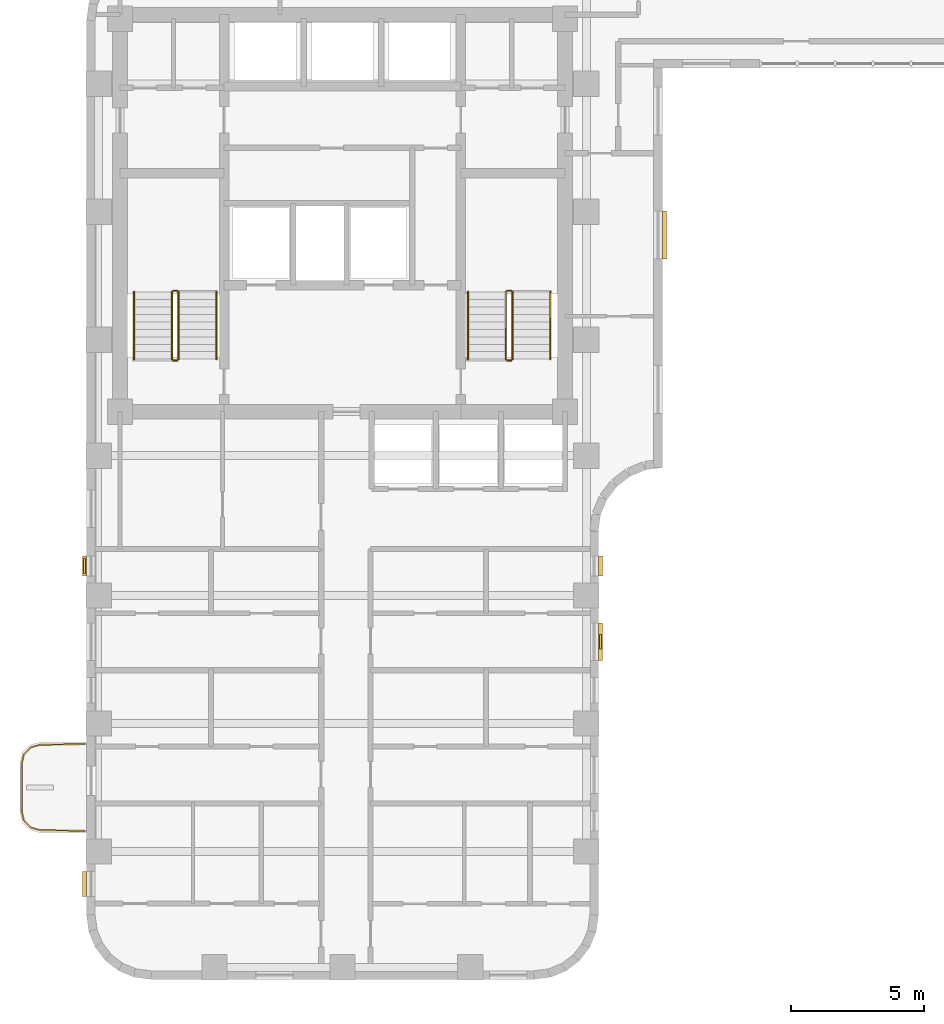
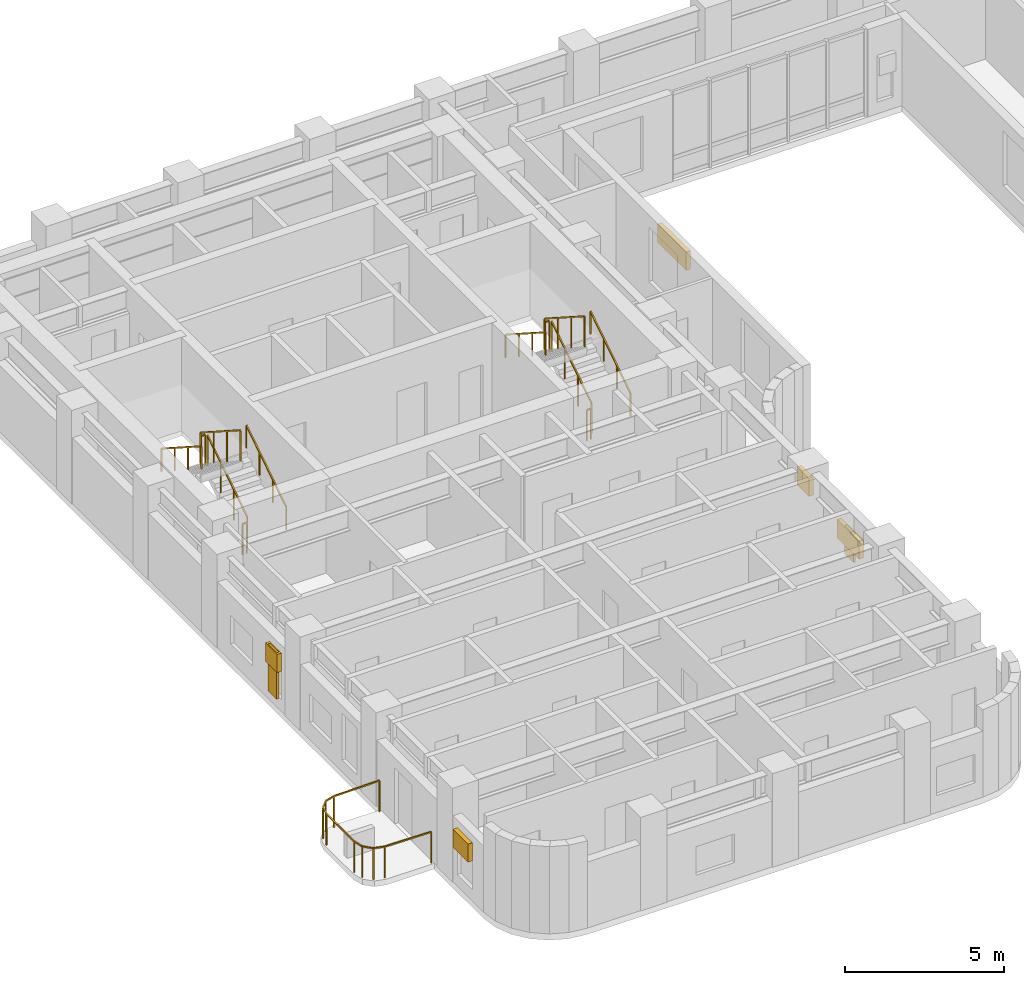
# One storey, part 9 of 11: 13 railings, 7 shading devices.
"""IFC4 building model written with IfcOpenShell, lengths in metres."""

from ifc_helpers import new_model, si_unit, direction, frame, origin, origin_2d, place, context, subcontext, project, spatial, rectangle, extrude, material, type_object, element, save


model = new_model("IFC4")

# Units and contexts
model_context = context("Model", 3, precision=1e-05, world=origin(), true_north=direction((0.0, 1.0)))
body_context = subcontext(model_context, "Body", "Model", "MODEL_VIEW")
ifc_project = project(units=[si_unit("LENGTHUNIT", "METRE"), si_unit("AREAUNIT", "SQUARE_METRE"), si_unit("VOLUMEUNIT", "CUBIC_METRE"), si_unit("PLANEANGLEUNIT", "RADIAN"), si_unit("MASSUNIT", "GRAM", prefix="KILO")], contexts=[model_context])

# Site, building, storey
site_placement = place(None, origin())
site = spatial("IfcSite", under=ifc_project, at=site_placement, CompositionType="ELEMENT")
building_placement = place(site_placement, origin())
building = spatial("IfcBuilding", under=site, at=building_placement, Name="Orvandelia Arch Residences", CompositionType="ELEMENT")
storey_placement = place(building_placement, frame((0.0, 0.0, 168.39990234375)))
storey = spatial("IfcBuildingStorey", under=building, at=storey_placement, Name="L44", CompositionType="ELEMENT", Elevation=168.39990234375)

# Railings
ifc_material_1 = material(Name="Marine-Grade Stainless Steel 316", Category="steel")
railing_type_1 = type_object("IfcRailingType", Name="GRD-BAL-1200", PredefinedType="BALUSTRADE", material=ifc_material_1)
railing_1_placement = place(storey_placement, frame((4.728271484375, 18.430419921875, 0.0)))
element("IfcRailing", 1, at=railing_1_placement, inside=storey, type_object=railing_type_1, Name="Safety Balustrade Guard GRD-L44-BAL-L44-W1-1", PredefinedType="BALUSTRADE", context=body_context, shape_type="SweptSolid", body=[
    extrude(rectangle(XDim=0.048095703125, YDim=0.048095703125, at=origin_2d()), frame((0.0, 0.0, 1.19580078125), z_axis=(-0.999834751713, -0.018178813668, 0.0), x_axis=(0.018178813668, -0.999834751713, 0.0)), (0.0, 0.0, 1.0), 1.6787109375),
    extrude(rectangle(XDim=0.048095703125, YDim=0.048095703125, at=origin_2d()), frame((-1.678466796875, -0.030517578125, 1.19580078125), z_axis=(-0.96348920644, -0.267747173792, 0.0), x_axis=(0.267747173792, -0.96348920644, 0.0)), (0.0, 0.0, 1.0), 0.36572265625),
    extrude(rectangle(XDim=0.048095703125, YDim=0.048095703125, at=origin_2d()), frame((-2.03076171875, -0.12841796875, 1.19580078125), z_axis=(-0.688627404251, -0.725115368831, 0.0), x_axis=(0.725115368831, -0.688627404251, 0.0)), (0.0, 0.0, 1.0), 0.367919921875),
    extrude(rectangle(XDim=0.048095703125, YDim=0.048095703125, at=origin_2d()), frame((-2.2841796875, -0.395263671875, 1.19580078125), z_axis=(-0.220602419982, -0.975363815352, 0.0), x_axis=(0.975363815352, -0.220602419982, 0.0)), (0.0, 0.0, 1.0), 0.373046875),
    extrude(rectangle(XDim=0.048095703125, YDim=0.048095703125, at=origin_2d()), frame((-2.366455078125, -0.759033203125, 1.19580078125), z_axis=(0.0, -1.0, 0.0), x_axis=(1.0, 0.0, 0.0)), (0.0, 0.0, 1.0), 1.74267578125),
    extrude(rectangle(XDim=0.048095703125, YDim=0.048095703125, at=origin_2d()), frame((-2.366455078125, -2.501708984375, 1.19580078125), z_axis=(0.220602419982, -0.975363815352, 0.0), x_axis=(0.975363815352, 0.220602419982, 0.0)), (0.0, 0.0, 1.0), 0.373046875),
    extrude(rectangle(XDim=0.048095703125, YDim=0.048095703125, at=origin_2d()), frame((-2.2841796875, -2.865478515625, 1.19580078125), z_axis=(0.688296224633, -0.725429739642, 0.0), x_axis=(0.725429739642, 0.688296224633, 0.0)), (0.0, 0.0, 1.0), 0.3681640625),
    extrude(rectangle(XDim=0.048095703125, YDim=0.048095703125, at=origin_2d()), frame((-2.03076171875, -3.132568359375, 1.19580078125), z_axis=(0.96348920644, -0.267747173792, 0.0), x_axis=(0.267747173792, 0.96348920644, 0.0)), (0.0, 0.0, 1.0), 0.36572265625),
    extrude(rectangle(XDim=0.048095703125, YDim=0.048095703125, at=origin_2d()), frame((-1.678466796875, -3.23046875, 1.19580078125), z_axis=(0.999837384468, -0.018033430643, 0.0), x_axis=(0.018033430643, 0.999837384468, 0.0)), (0.0, 0.0, 1.0), 1.6787109375),
    extrude(rectangle(XDim=0.0419921875, YDim=0.0419921875, at=origin_2d()), origin(), (0.0, 0.0, 1.0), 1.171875),
    extrude(rectangle(XDim=0.0419921875, YDim=0.0419921875, at=origin_2d()), frame((-1.678466796875, -0.030517578125, 0.0)), (0.0, 0.0, 1.0), 1.171875),
    extrude(rectangle(XDim=0.0419921875, YDim=0.0419921875, at=origin_2d()), frame((-2.03076171875, -0.12841796875, 0.0)), (0.0, 0.0, 1.0), 1.171875),
    extrude(rectangle(XDim=0.0419921875, YDim=0.0419921875, at=origin_2d()), frame((-2.2841796875, -0.395263671875, 0.0)), (0.0, 0.0, 1.0), 1.171875),
    extrude(rectangle(XDim=0.0419921875, YDim=0.0419921875, at=origin_2d()), frame((-2.366455078125, -0.759033203125, 0.0)), (0.0, 0.0, 1.0), 1.171875),
    extrude(rectangle(XDim=0.0419921875, YDim=0.0419921875, at=origin_2d()), frame((-2.366455078125, -2.501708984375, 0.0)), (0.0, 0.0, 1.0), 1.171875),
    extrude(rectangle(XDim=0.0419921875, YDim=0.0419921875, at=origin_2d()), frame((-2.2841796875, -2.865478515625, 0.0)), (0.0, 0.0, 1.0), 1.171875),
    extrude(rectangle(XDim=0.0419921875, YDim=0.0419921875, at=origin_2d()), frame((-2.03076171875, -3.132568359375, 0.0)), (0.0, 0.0, 1.0), 1.171875),
    extrude(rectangle(XDim=0.0419921875, YDim=0.0419921875, at=origin_2d()), frame((-1.678466796875, -3.23046875, 0.0)), (0.0, 0.0, 1.0), 1.171875),
    extrude(rectangle(XDim=0.0419921875, YDim=0.0419921875, at=origin_2d()), frame((0.0, -3.2607421875, 0.0)), (0.0, 0.0, 1.0), 1.171875),
])
ifc_material_2 = material(Name="Brushed Stainless Steel 304", Category="steel")
railing_type_2 = type_object("IfcRailingType", Name="RL-STAIR-GD1120", PredefinedType="GUARDRAIL", material=ifc_material_2)
railing_2_placement = place(storey_placement, frame((8.25, 32.8701171875, 0.18017578125)))
element("IfcRailing", 2, at=railing_2_placement, inside=storey, type_object=railing_type_2, Name="L44 ST-1 stair guard 1", PredefinedType="GUARDRAIL", context=body_context, shape_type="SweptSolid", body=[
    extrude(rectangle(XDim=0.048095703125, YDim=0.048095703125, at=origin_2d()), frame((0.0, 0.0, 1.17578125), z_axis=(0.0, 0.841175827307, 0.540761710511), x_axis=(-1.0, 0.0, 0.0)), (0.0, 0.0, 1.0), 2.99560546875),
    extrude(rectangle(XDim=0.0419921875, YDim=0.0419921875, at=origin_2d()), origin(), (0.0, 0.0, 1.0), 1.15185546875),
    extrude(rectangle(XDim=0.0419921875, YDim=0.0419921875, at=origin_2d()), frame((0.0, 0.83984375, 0.5400390625)), (0.0, 0.0, 1.0), 1.15185546875),
    extrude(rectangle(XDim=0.0419921875, YDim=0.0419921875, at=origin_2d()), frame((0.0, 1.679931640625, 1.079833984375)), (0.0, 0.0, 1.0), 1.15185546875),
    extrude(rectangle(XDim=0.0419921875, YDim=0.0419921875, at=origin_2d()), frame((0.0, 2.519775390625, 1.619873046875)), (0.0, 0.0, 1.0), 1.15185546875),
])
railing_3_placement = place(storey_placement, frame((8.199951171875, 35.43994140625, 1.800048828125)))
element("IfcRailing", 3, at=railing_3_placement, inside=storey, type_object=railing_type_2, Name="L44 ST-1 stair guard 2", PredefinedType="GUARDRAIL", context=body_context, shape_type="SweptSolid", body=[
    extrude(rectangle(XDim=0.048095703125, YDim=0.048095703125, at=origin_2d()), frame((0.0, 0.0, 1.17578125), z_axis=(-1.0, 0.0, 0.0), x_axis=(0.0, -1.0, 0.0)), (0.0, 0.0, 1.0), 0.14990234375),
    extrude(rectangle(XDim=0.0419921875, YDim=0.0419921875, at=origin_2d()), origin(), (0.0, 0.0, 1.0), 1.15185546875),
    extrude(rectangle(XDim=0.0419921875, YDim=0.0419921875, at=origin_2d()), frame((-0.14990234375, 0.0, 0.0)), (0.0, 0.0, 1.0), 1.15185546875),
])
railing_4_placement = place(storey_placement, frame((8.0, 35.389892578125, 1.97998046875)))
element("IfcRailing", 4, at=railing_4_placement, inside=storey, type_object=railing_type_2, Name="L44 ST-1 stair guard 3", PredefinedType="GUARDRAIL", context=body_context, shape_type="SweptSolid", body=[
    extrude(rectangle(XDim=0.048095703125, YDim=0.048095703125, at=origin_2d()), frame((0.0, 0.0, 1.17578125), z_axis=(0.0, -0.841138753965, 0.540819375188), x_axis=(1.0, 0.0, 0.0)), (0.0, 0.0, 1.0), 2.99560546875),
    extrude(rectangle(XDim=0.0419921875, YDim=0.0419921875, at=origin_2d()), origin(), (0.0, 0.0, 1.0), 1.15185546875),
    extrude(rectangle(XDim=0.0419921875, YDim=0.0419921875, at=origin_2d()), frame((0.0, -0.83984375, 0.5400390625)), (0.0, 0.0, 1.0), 1.15185546875),
    extrude(rectangle(XDim=0.0419921875, YDim=0.0419921875, at=origin_2d()), frame((0.0, -1.679931640625, 1.080078125)), (0.0, 0.0, 1.0), 1.15185546875),
    extrude(rectangle(XDim=0.0419921875, YDim=0.0419921875, at=origin_2d()), frame((0.0, -2.519775390625, 1.6201171875)), (0.0, 0.0, 1.0), 1.15185546875),
])
railing_5_placement = place(storey_placement, frame((8.199951171875, 32.820068359375, 0.0)))
element("IfcRailing", 5, at=railing_5_placement, inside=storey, type_object=railing_type_2, Name="L44 ST-1 stair guard 4", PredefinedType="GUARDRAIL", context=body_context, shape_type="SweptSolid", body=[
    extrude(rectangle(XDim=0.048095703125, YDim=0.048095703125, at=origin_2d()), frame((0.0, 0.0, 1.17578125), z_axis=(-1.0, 0.0, 0.0), x_axis=(0.0, -1.0, 0.0)), (0.0, 0.0, 1.0), 0.14990234375),
    extrude(rectangle(XDim=0.0419921875, YDim=0.0419921875, at=origin_2d()), origin(), (0.0, 0.0, 1.0), 1.15185546875),
    extrude(rectangle(XDim=0.0419921875, YDim=0.0419921875, at=origin_2d()), frame((-0.14990234375, 0.0, 0.0)), (0.0, 0.0, 1.0), 1.15185546875),
])
railing_6_placement = place(storey_placement, frame((20.780029296875, 32.8701171875, 0.18017578125)))
element("IfcRailing", 6, at=railing_6_placement, inside=storey, type_object=railing_type_2, Name="L44 ST-2 stair guard 1", PredefinedType="GUARDRAIL", context=body_context, shape_type="SweptSolid", body=[
    extrude(rectangle(XDim=0.048095703125, YDim=0.048095703125, at=origin_2d()), frame((0.0, 0.0, 1.17578125), z_axis=(0.0, 0.841175827307, 0.540761710511), x_axis=(-1.0, 0.0, 0.0)), (0.0, 0.0, 1.0), 2.99560546875),
    extrude(rectangle(XDim=0.0419921875, YDim=0.0419921875, at=origin_2d()), origin(), (0.0, 0.0, 1.0), 1.15185546875),
    extrude(rectangle(XDim=0.0419921875, YDim=0.0419921875, at=origin_2d()), frame((0.0, 0.83984375, 0.5400390625)), (0.0, 0.0, 1.0), 1.15185546875),
    extrude(rectangle(XDim=0.0419921875, YDim=0.0419921875, at=origin_2d()), frame((0.0, 1.679931640625, 1.079833984375)), (0.0, 0.0, 1.0), 1.15185546875),
    extrude(rectangle(XDim=0.0419921875, YDim=0.0419921875, at=origin_2d()), frame((0.0, 2.519775390625, 1.619873046875)), (0.0, 0.0, 1.0), 1.15185546875),
])
railing_7_placement = place(storey_placement, frame((20.72998046875, 35.43994140625, 1.800048828125)))
element("IfcRailing", 7, at=railing_7_placement, inside=storey, type_object=railing_type_2, Name="L44 ST-2 stair guard 2", PredefinedType="GUARDRAIL", context=body_context, shape_type="SweptSolid", body=[
    extrude(rectangle(XDim=0.048095703125, YDim=0.048095703125, at=origin_2d()), frame((0.0, 0.0, 1.17578125), z_axis=(-1.0, 0.0, 0.0), x_axis=(0.0, -1.0, 0.0)), (0.0, 0.0, 1.0), 0.14990234375),
    extrude(rectangle(XDim=0.0419921875, YDim=0.0419921875, at=origin_2d()), origin(), (0.0, 0.0, 1.0), 1.15185546875),
    extrude(rectangle(XDim=0.0419921875, YDim=0.0419921875, at=origin_2d()), frame((-0.14990234375, 0.0, 0.0)), (0.0, 0.0, 1.0), 1.15185546875),
])
railing_8_placement = place(storey_placement, frame((20.530029296875, 35.389892578125, 1.97998046875)))
element("IfcRailing", 8, at=railing_8_placement, inside=storey, type_object=railing_type_2, Name="L44 ST-2 stair guard 3", PredefinedType="GUARDRAIL", context=body_context, shape_type="SweptSolid", body=[
    extrude(rectangle(XDim=0.048095703125, YDim=0.048095703125, at=origin_2d()), frame((0.0, 0.0, 1.17578125), z_axis=(0.0, -0.841138753965, 0.540819375188), x_axis=(1.0, 0.0, 0.0)), (0.0, 0.0, 1.0), 2.99560546875),
    extrude(rectangle(XDim=0.0419921875, YDim=0.0419921875, at=origin_2d()), origin(), (0.0, 0.0, 1.0), 1.15185546875),
    extrude(rectangle(XDim=0.0419921875, YDim=0.0419921875, at=origin_2d()), frame((0.0, -0.83984375, 0.5400390625)), (0.0, 0.0, 1.0), 1.15185546875),
    extrude(rectangle(XDim=0.0419921875, YDim=0.0419921875, at=origin_2d()), frame((0.0, -1.679931640625, 1.080078125)), (0.0, 0.0, 1.0), 1.15185546875),
    extrude(rectangle(XDim=0.0419921875, YDim=0.0419921875, at=origin_2d()), frame((0.0, -2.519775390625, 1.6201171875)), (0.0, 0.0, 1.0), 1.15185546875),
])
railing_9_placement = place(storey_placement, frame((20.72998046875, 32.820068359375, 0.0)))
element("IfcRailing", 9, at=railing_9_placement, inside=storey, type_object=railing_type_2, Name="L44 ST-2 stair guard 4", PredefinedType="GUARDRAIL", context=body_context, shape_type="SweptSolid", body=[
    extrude(rectangle(XDim=0.048095703125, YDim=0.048095703125, at=origin_2d()), frame((0.0, 0.0, 1.17578125), z_axis=(-1.0, 0.0, 0.0), x_axis=(0.0, -1.0, 0.0)), (0.0, 0.0, 1.0), 0.14990234375),
    extrude(rectangle(XDim=0.0419921875, YDim=0.0419921875, at=origin_2d()), origin(), (0.0, 0.0, 1.0), 1.15185546875),
    extrude(rectangle(XDim=0.0419921875, YDim=0.0419921875, at=origin_2d()), frame((-0.14990234375, 0.0, 0.0)), (0.0, 0.0, 1.0), 1.15185546875),
])
railing_type_3 = type_object("IfcRailingType", Name="RL-STAIR-HR920", PredefinedType="HANDRAIL", material=ifc_material_2)
railing_10_placement = place(storey_placement, frame((9.669921875, 32.8701171875, 0.360107421875)))
element("IfcRailing", 10, at=railing_10_placement, inside=storey, type_object=railing_type_3, Name="L44 ST-1 stair handrail 1", PredefinedType="HANDRAIL", context=body_context, shape_type="SweptSolid", body=[
    extrude(rectangle(XDim=0.048095703125, YDim=0.048095703125, at=origin_2d()), frame((0.0, 0.0, 0.8759765625), z_axis=(0.0, 0.841175827307, 0.540761710511), x_axis=(-1.0, 0.0, 0.0)), (0.0, 0.0, 1.0), 2.99560546875),
    extrude(rectangle(XDim=0.0419921875, YDim=0.0419921875, at=origin_2d()), origin(), (0.0, 0.0, 1.0), 0.851806640625),
    extrude(rectangle(XDim=0.0419921875, YDim=0.0419921875, at=origin_2d()), frame((0.0, 0.83984375, 0.5400390625)), (0.0, 0.0, 1.0), 0.851806640625),
    extrude(rectangle(XDim=0.0419921875, YDim=0.0419921875, at=origin_2d()), frame((0.0, 1.679931640625, 1.079833984375)), (0.0, 0.0, 1.0), 0.851806640625),
    extrude(rectangle(XDim=0.0419921875, YDim=0.0419921875, at=origin_2d()), frame((0.0, 2.519775390625, 1.619873046875)), (0.0, 0.0, 1.0), 0.851806640625),
])
railing_11_placement = place(storey_placement, frame((6.580078125, 35.389892578125, 2.16015625)))
element("IfcRailing", 11, at=railing_11_placement, inside=storey, type_object=railing_type_3, Name="L44 ST-1 stair handrail 2", PredefinedType="HANDRAIL", context=body_context, shape_type="SweptSolid", body=[
    extrude(rectangle(XDim=0.048095703125, YDim=0.048095703125, at=origin_2d()), frame((0.0, 0.0, 0.8759765625), z_axis=(0.0, -0.841175827307, 0.540761710511), x_axis=(1.0, 0.0, 0.0)), (0.0, 0.0, 1.0), 2.99560546875),
    extrude(rectangle(XDim=0.0419921875, YDim=0.0419921875, at=origin_2d()), origin(), (0.0, 0.0, 1.0), 0.851806640625),
    extrude(rectangle(XDim=0.0419921875, YDim=0.0419921875, at=origin_2d()), frame((0.0, -0.83984375, 0.5400390625)), (0.0, 0.0, 1.0), 0.851806640625),
    extrude(rectangle(XDim=0.0419921875, YDim=0.0419921875, at=origin_2d()), frame((0.0, -1.679931640625, 1.079833984375)), (0.0, 0.0, 1.0), 0.851806640625),
    extrude(rectangle(XDim=0.0419921875, YDim=0.0419921875, at=origin_2d()), frame((0.0, -2.519775390625, 1.619873046875)), (0.0, 0.0, 1.0), 0.851806640625),
])
railing_12_placement = place(storey_placement, frame((22.199951171875, 32.8701171875, 0.360107421875)))
element("IfcRailing", 12, at=railing_12_placement, inside=storey, type_object=railing_type_3, Name="L44 ST-2 stair handrail 1", PredefinedType="HANDRAIL", context=body_context, shape_type="SweptSolid", body=[
    extrude(rectangle(XDim=0.048095703125, YDim=0.048095703125, at=origin_2d()), frame((0.0, 0.0, 0.8759765625), z_axis=(0.0, 0.841175827307, 0.540761710511), x_axis=(-1.0, 0.0, 0.0)), (0.0, 0.0, 1.0), 2.99560546875),
    extrude(rectangle(XDim=0.0419921875, YDim=0.0419921875, at=origin_2d()), origin(), (0.0, 0.0, 1.0), 0.851806640625),
    extrude(rectangle(XDim=0.0419921875, YDim=0.0419921875, at=origin_2d()), frame((0.0, 0.83984375, 0.5400390625)), (0.0, 0.0, 1.0), 0.851806640625),
    extrude(rectangle(XDim=0.0419921875, YDim=0.0419921875, at=origin_2d()), frame((0.0, 1.679931640625, 1.079833984375)), (0.0, 0.0, 1.0), 0.851806640625),
    extrude(rectangle(XDim=0.0419921875, YDim=0.0419921875, at=origin_2d()), frame((0.0, 2.519775390625, 1.619873046875)), (0.0, 0.0, 1.0), 0.851806640625),
])
railing_13_placement = place(storey_placement, frame((19.110107421875, 35.389892578125, 2.16015625)))
element("IfcRailing", 13, at=railing_13_placement, inside=storey, type_object=railing_type_3, Name="L44 ST-2 stair handrail 2", PredefinedType="HANDRAIL", context=body_context, shape_type="SweptSolid", body=[
    extrude(rectangle(XDim=0.048095703125, YDim=0.048095703125, at=origin_2d()), frame((0.0, 0.0, 0.8759765625), z_axis=(0.0, -0.841175827307, 0.540761710511), x_axis=(1.0, 0.0, 0.0)), (0.0, 0.0, 1.0), 2.99560546875),
    extrude(rectangle(XDim=0.0419921875, YDim=0.0419921875, at=origin_2d()), origin(), (0.0, 0.0, 1.0), 0.851806640625),
    extrude(rectangle(XDim=0.0419921875, YDim=0.0419921875, at=origin_2d()), frame((0.0, -0.83984375, 0.5400390625)), (0.0, 0.0, 1.0), 0.851806640625),
    extrude(rectangle(XDim=0.0419921875, YDim=0.0419921875, at=origin_2d()), frame((0.0, -1.679931640625, 1.079833984375)), (0.0, 0.0, 1.0), 0.851806640625),
    extrude(rectangle(XDim=0.0419921875, YDim=0.0419921875, at=origin_2d()), frame((0.0, -2.519775390625, 1.619873046875)), (0.0, 0.0, 1.0), 0.851806640625),
])

# Shading devices
ifc_material_3 = material(Name="Anodised Champagne-Bronze Extruded Aluminium", Category="aluminium")
shading_device_type_1 = type_object("IfcShadingDeviceType", Name="SHD-JALOUSIE-SCREEN", PredefinedType="JALOUSIE", material=ifc_material_3)
shading_device_1_placement = place(storey_placement, frame((26.47998046875, 37.530029296875, 2.2001953125), z_axis=(0.0, 0.0, 1.0), x_axis=(0.0, -1.0, 0.0)))
element("IfcShadingDevice", 14, at=shading_device_1_placement, inside=storey, type_object=shading_device_type_1, Name="Bronze Jalousie Sun-Shade L44-005", PredefinedType="JALOUSIE", context=body_context, shape_type="SweptSolid", body=[
    extrude(rectangle(XDim=1.800048828125, YDim=0.159912109375, at=origin_2d()), origin(), (0.0, 0.0, 1.0), 0.699951171875),
])
shading_device_2_placement = place(storey_placement, frame((24.080078125, 22.27001953125, 1.05029296875), z_axis=(0.0, 0.0, 1.0), x_axis=(0.0, -1.0, 0.0)))
element("IfcShadingDevice", 15, at=shading_device_2_placement, inside=storey, type_object=shading_device_type_1, Name="Bronze Jalousie Sun-Shade L44-006", PredefinedType="JALOUSIE", context=body_context, shape_type="SweptSolid", body=[
    extrude(rectangle(XDim=1.39990234375, YDim=0.159912109375, at=origin_2d()), origin(), (0.0, 0.0, 1.0), 0.699951171875),
])
shading_device_3_placement = place(storey_placement, frame((24.080078125, 25.107421875, 1.55029296875), z_axis=(0.0, 0.0, 1.0), x_axis=(0.0, -1.0, 0.0)))
element("IfcShadingDevice", 16, at=shading_device_3_placement, inside=storey, type_object=shading_device_type_1, Name="Bronze Jalousie Sun-Shade L44-007", PredefinedType="JALOUSIE", context=body_context, shape_type="SweptSolid", body=[
    extrude(rectangle(XDim=0.75, YDim=0.159912109375, at=origin_2d()), origin(), (0.0, 0.0, 1.0), 0.699951171875),
])
shading_device_4_placement = place(storey_placement, frame((4.719970703125, 13.174560546875, 1.55029296875), z_axis=(0.0, 0.0, 1.0), x_axis=(0.0, 1.0, 0.0)))
element("IfcShadingDevice", 17, at=shading_device_4_placement, inside=storey, type_object=shading_device_type_1, Name="Bronze Jalousie Sun-Shade L44-008", PredefinedType="JALOUSIE", context=body_context, shape_type="SweptSolid", body=[
    extrude(rectangle(XDim=0.949951171875, YDim=0.159912109375, at=origin_2d()), origin(), (0.0, 0.0, 1.0), 0.699951171875),
])
shading_device_5_placement = place(storey_placement, frame((4.719970703125, 25.107421875, 1.55029296875), z_axis=(0.0, 0.0, 1.0), x_axis=(0.0, 1.0, 0.0)))
element("IfcShadingDevice", 18, at=shading_device_5_placement, inside=storey, type_object=shading_device_type_1, Name="Bronze Jalousie Sun-Shade L44-009", PredefinedType="JALOUSIE", context=body_context, shape_type="SweptSolid", body=[
    extrude(rectangle(XDim=0.75, YDim=0.159912109375, at=origin_2d()), origin(), (0.0, 0.0, 1.0), 0.699951171875),
])
ifc_material_4 = material(Name="Marine-Grade Perforated Aluminium Storm Shutter", Category="aluminium")
shading_device_type_2 = type_object("IfcShadingDeviceType", Name="SHD-STORM-SHUTTER", PredefinedType="SHUTTER", material=ifc_material_4)
shading_device_6_placement = place(storey_placement, frame((24.080078125, 22.27001953125, 0.650146484375), z_axis=(0.0, 0.0, 1.0), x_axis=(0.0, -1.0, 0.0)))
element("IfcShadingDevice", 19, at=shading_device_6_placement, inside=storey, type_object=shading_device_type_2, Name="Operable Typhoon Storm Shutter L44-006", PredefinedType="SHUTTER", context=body_context, shape_type="SweptSolid", body=[
    extrude(rectangle(XDim=0.550048828125, YDim=0.080078125, at=origin_2d()), origin(), (0.0, 0.0, 1.0), 1.10009765625),
])
shading_device_7_placement = place(storey_placement, frame((4.719970703125, 25.107421875, 0.4501953125), z_axis=(0.0, 0.0, 1.0), x_axis=(0.0, 1.0, 0.0)))
element("IfcShadingDevice", 20, at=shading_device_7_placement, inside=storey, type_object=shading_device_type_2, Name="Operable Typhoon Storm Shutter L44-009", PredefinedType="SHUTTER", context=body_context, shape_type="SweptSolid", body=[
    extrude(rectangle(XDim=0.550048828125, YDim=0.080078125, at=origin_2d()), origin(), (0.0, 0.0, 1.0), 1.800048828125),
])

save(model, "model.ifc")
